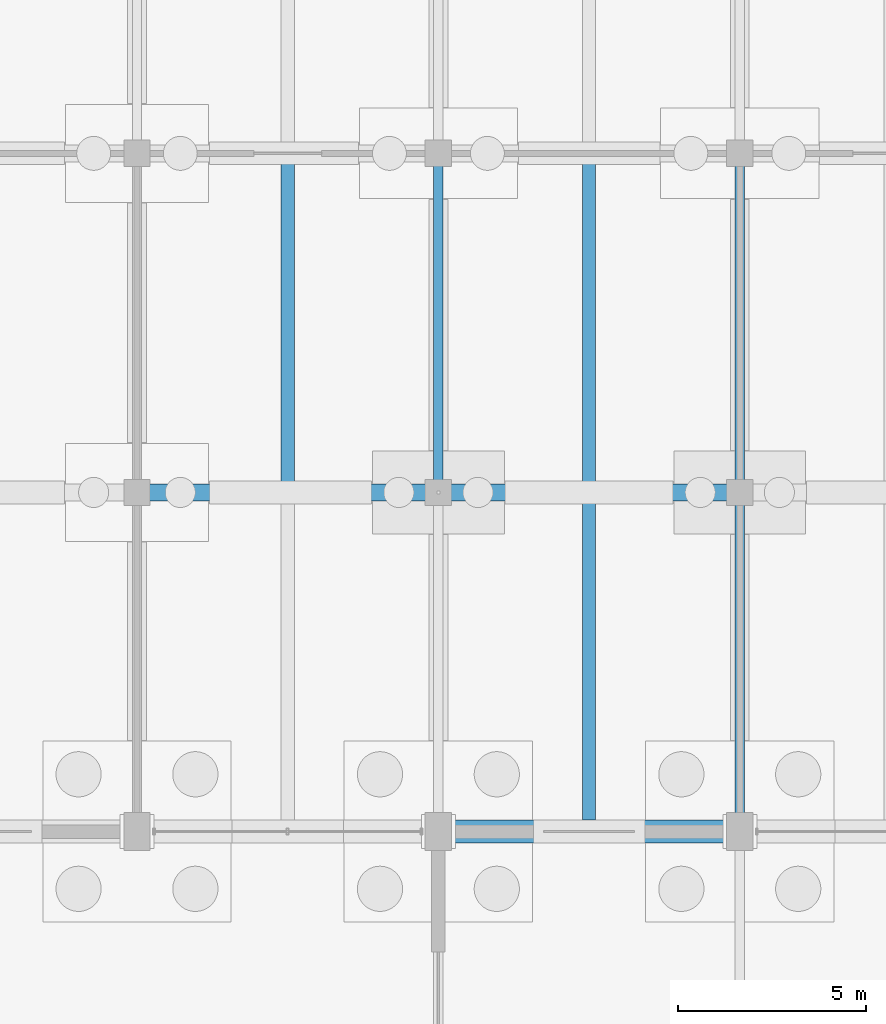
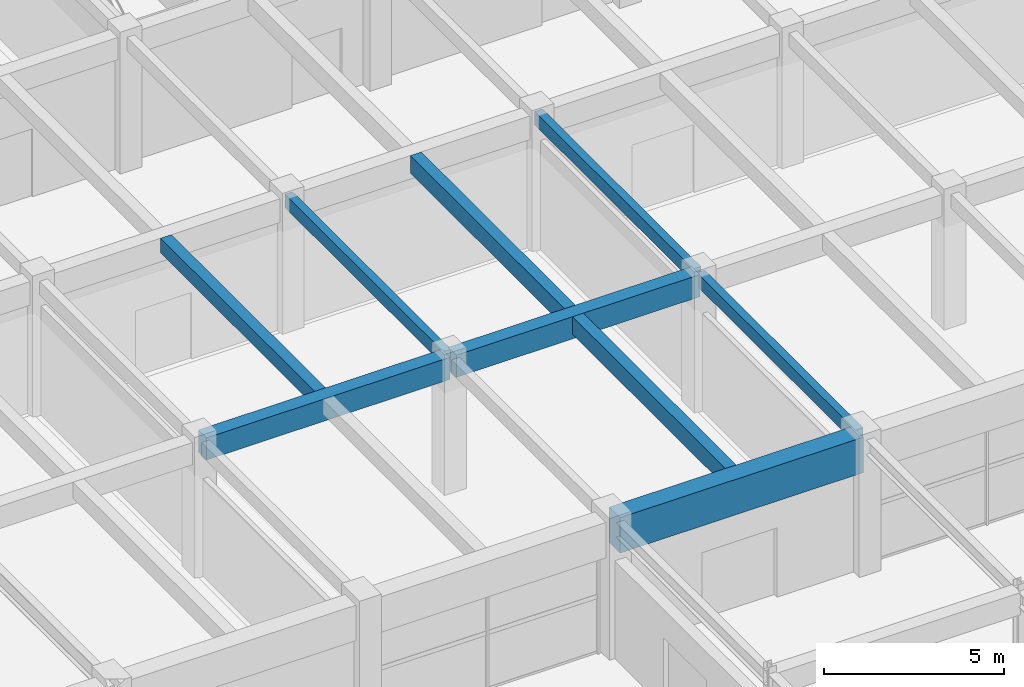
# One storey, part 47 of 147: 9 beams.
"""IFC4 building model written with IfcOpenShell, lengths in metres."""

from ifc_helpers import new_model, si_unit, direction, frame, origin, origin_2d, place, context, subcontext, project, spatial, rectangle, extrude, material, material_profile, profile_set, type_object, element, save


model = new_model("IFC4")

# Units and contexts
model_context = context("Model", 3, precision=1e-05, world=origin(), true_north=direction((0.0, 1.0)))
body_context = subcontext(model_context, "Body", "Model", "MODEL_VIEW")
ifc_project = project(units=[si_unit("LENGTHUNIT", "METRE"), si_unit("AREAUNIT", "SQUARE_METRE"), si_unit("VOLUMEUNIT", "CUBIC_METRE"), si_unit("PLANEANGLEUNIT", "RADIAN"), si_unit("MASSUNIT", "GRAM", prefix="KILO")], contexts=[model_context])

# Site, building, storey
site_placement = place(None, origin())
site = spatial("IfcSite", under=ifc_project, at=site_placement, CompositionType="ELEMENT")
building_placement = place(site_placement, origin())
building = spatial("IfcBuilding", under=site, at=building_placement, Name="Varnabhumi Central Station", CompositionType="ELEMENT")
storey_placement = place(building_placement, origin())
storey = spatial("IfcBuildingStorey", under=building, at=storey_placement, Name="L00", CompositionType="ELEMENT", Elevation=0.0)

# Beams
ifc_material_1 = material(Name="Concrete M50", Category="concrete")
ifc_material_profile_1 = material_profile(ifc_material_1, rectangle(XDim=0.60009765625, YDim=1.199951171875, at=origin_2d()), Name="Concrete M50", Category="concrete")
ifc_profile_set_1 = profile_set([ifc_material_profile_1], Name="Concrete M50")
beam_type_1 = type_object("IfcBeamType", Name="BM-RC-1200x600", PredefinedType="BEAM", material=ifc_profile_set_1)
beam_1_placement = place(storey_placement, frame((24.10009765625, 80.0, 3.949951171875), z_axis=(1.0, 0.0, 0.0), x_axis=(0.0, 1.0, 0.0)))
element("IfcBeam", 1, at=beam_1_placement, inside=storey, type_object=beam_type_1, Name="Beam L00-K:4-5", PredefinedType="BEAM", context=body_context, shape_type="SweptSolid", body=[
    extrude(rectangle(XDim=0.60009765625, YDim=1.199951171875, at=origin_2d()), origin(), (0.0, 0.0, 1.0), 7.7998046875),
])
ifc_material_2 = material(Name="Concrete M35", Category="concrete")
ifc_material_profile_2 = material_profile(ifc_material_2, rectangle(XDim=0.25, YDim=0.449951171875, at=origin_2d()), Name="Concrete M35", Category="concrete")
ifc_profile_set_2 = profile_set([ifc_material_profile_2], Name="Concrete M35")
beam_type_2 = type_object("IfcBeamType", Name="BM-RC-250x450", PredefinedType="LINTEL", material=ifc_profile_set_2)
for number, where, z_axis, x_axis, name in (
    (2, (32.0, 80.10009765625, 4.324951171875), (0.0, 1.0, 0.0), (-1.0, 0.0, 0.0), "Beam L00-5:K-L"),
    (3, (24.0, 89.10009765625, 4.324951171875), (0.0, 1.0, 0.0), (-1.0, 0.0, 0.0), "Beam L00-4:L-M"),
    (4, (32.0, 89.10009765625, 4.324951171875), (0.0, 1.0, 0.0), (-1.0, 0.0, 0.0), "Beam L00-5:L-M"),
):
    element("IfcBeam", number, at=place(storey_placement, frame(where, z_axis=z_axis, x_axis=x_axis)), inside=storey, type_object=beam_type_2, Name=name, PredefinedType="LINTEL", context=body_context, shape_type="SweptSolid", body=[
        extrude(rectangle(XDim=0.25, YDim=0.449951171875, at=origin_2d()), origin(), (0.0, 0.0, 1.0), 8.7998046875),
    ])
ifc_material_3 = material(Name="Concrete M40", Category="concrete")
ifc_material_profile_3 = material_profile(ifc_material_3, rectangle(XDim=0.35009765625, YDim=0.5, at=origin_2d()), Name="Concrete M40", Category="concrete")
ifc_profile_set_3 = profile_set([ifc_material_profile_3], Name="Concrete M40")
beam_type_3 = type_object("IfcBeamType", Name="BM-RC-350x500", PredefinedType="JOIST", material=ifc_profile_set_3)
beam_2_placement = place(storey_placement, frame((20.0, 89.22509765625, 4.300048828125), z_axis=(0.0, 1.0, 0.0), x_axis=(-1.0, 0.0, 0.0)))
element("IfcBeam", 5, at=beam_2_placement, inside=storey, type_object=beam_type_3, Name="Secondary Joist L00-3/4:L-M", PredefinedType="JOIST", context=body_context, shape_type="SweptSolid", body=[
    extrude(rectangle(XDim=0.35009765625, YDim=0.5, at=origin_2d()), origin(), (0.0, 0.0, 1.0), 8.5498046875),
])
ifc_material_profile_4 = material_profile(ifc_material_3, rectangle(XDim=0.449951171875, YDim=0.75, at=origin_2d()), Name="Concrete M40", Category="concrete")
ifc_profile_set_4 = profile_set([ifc_material_profile_4], Name="Concrete M40")
beam_type_4 = type_object("IfcBeamType", Name="BM-RC-450x750", PredefinedType="BEAM", material=ifc_profile_set_4)
for number, where, z_axis, x_axis, name in (
    (6, (16.10009765625, 89.0, 4.175048828125), (1.0, 0.0, 0.0), (0.0, 1.0, 0.0), "Beam L00-L:3-4"),
    (7, (24.10009765625, 89.0, 4.175048828125), (1.0, 0.0, 0.0), (0.0, 1.0, 0.0), "Beam L00-L:4-5"),
):
    element("IfcBeam", number, at=place(storey_placement, frame(where, z_axis=z_axis, x_axis=x_axis)), inside=storey, type_object=beam_type_4, Name=name, PredefinedType="BEAM", context=body_context, shape_type="SweptSolid", body=[
        extrude(rectangle(XDim=0.449951171875, YDim=0.75, at=origin_2d()), origin(), (0.0, 0.0, 1.0), 7.7998046875),
    ])
ifc_material_profile_5 = material_profile(ifc_material_3, rectangle(XDim=0.35009765625, YDim=0.60009765625, at=origin_2d()), Name="Concrete M40", Category="concrete")
ifc_profile_set_5 = profile_set([ifc_material_profile_5], Name="Concrete M40")
beam_type_5 = type_object("IfcBeamType", Name="BM-RC-600x350", PredefinedType="JOIST", material=ifc_profile_set_5)
beam_3_placement = place(storey_placement, frame((28.0, 80.300048828125, 4.25), z_axis=(0.0, 1.0, 0.0), x_axis=(-1.0, 0.0, 0.0)))
element("IfcBeam", 8, at=beam_3_placement, inside=storey, type_object=beam_type_5, Name="Secondary Joist L00-4/5:K-L", PredefinedType="JOIST", context=body_context, shape_type="SweptSolid", body=[
    extrude(rectangle(XDim=0.35009765625, YDim=0.60009765625, at=origin_2d()), origin(), (0.0, 0.0, 1.0), 8.474853515625),
])
beam_4_placement = place(storey_placement, frame((28.0, 89.22509765625, 4.25), z_axis=(0.0, 1.0, 0.0), x_axis=(-1.0, 0.0, 0.0)))
element("IfcBeam", 9, at=beam_4_placement, inside=storey, type_object=beam_type_5, Name="Secondary Joist L00-4/5:L-M", PredefinedType="JOIST", context=body_context, shape_type="SweptSolid", body=[
    extrude(rectangle(XDim=0.35009765625, YDim=0.60009765625, at=origin_2d()), origin(), (0.0, 0.0, 1.0), 8.5498046875),
])

save(model, "model.ifc")
